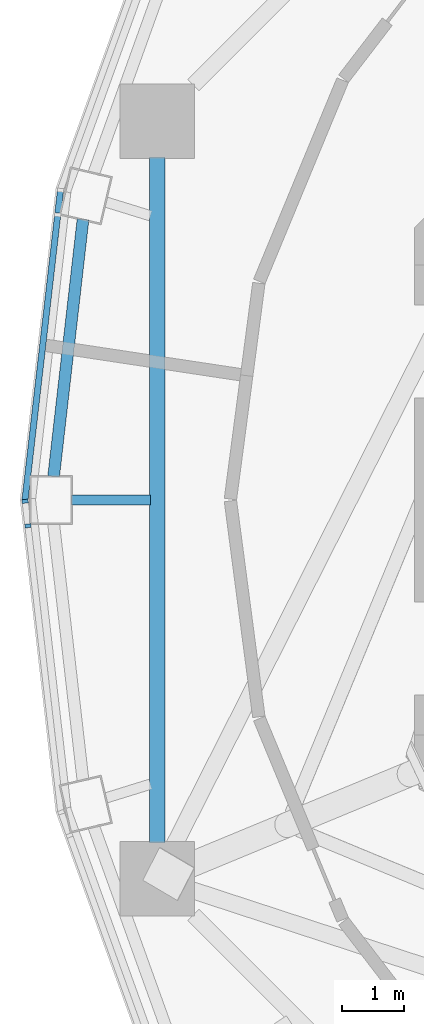
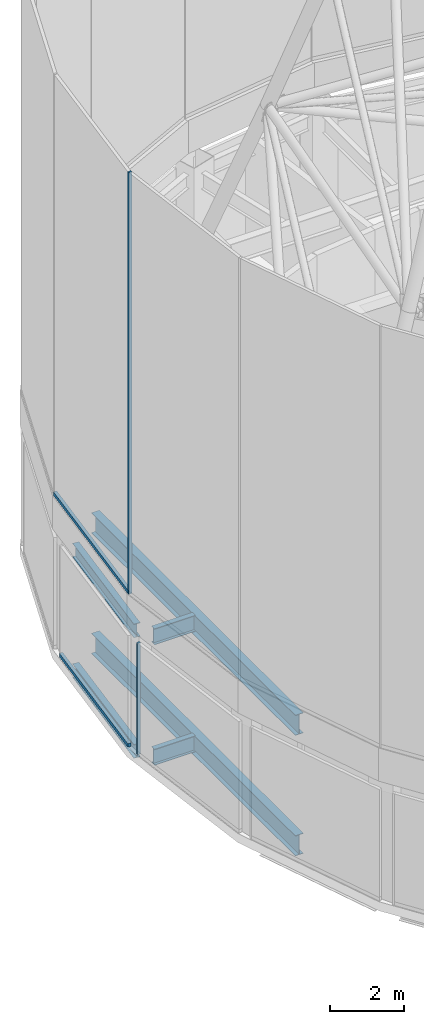
# One storey, part 9 of 25: 6 beams, 4 members, 4 elements without a shape of their own.
"""IFC4 building model written with IfcOpenShell, lengths in metres."""

from ifc_helpers import new_model, si_unit, direction, frame, origin, origin_2d, place, context, subcontext, project, spatial, rectangle, i_section, extrude, material, layer, layer_set, material_profile, profile_set, type_object, element, aggregate, save


model = new_model("IFC4")

# Units and contexts
model_context = context("Model", 3, precision=1e-05, world=origin(), true_north=direction((0.0, 1.0)))
body_context = subcontext(model_context, "Body", "Model", "MODEL_VIEW")
ifc_project = project(units=[si_unit("LENGTHUNIT", "METRE"), si_unit("AREAUNIT", "SQUARE_METRE"), si_unit("VOLUMEUNIT", "CUBIC_METRE"), si_unit("PLANEANGLEUNIT", "RADIAN"), si_unit("MASSUNIT", "GRAM", prefix="KILO")], contexts=[model_context])

# Site, building, storey
site_placement = place(None, origin())
site = spatial("IfcSite", under=ifc_project, at=site_placement, CompositionType="ELEMENT")
building_placement = place(site_placement, origin())
building = spatial("IfcBuilding", under=site, at=building_placement, Name="Nagisa Residences", CompositionType="ELEMENT")
storey_placement = place(building_placement, frame((0.0, 0.0, 340.89990234375)))
storey = spatial("IfcBuildingStorey", under=building, at=storey_placement, Name="L84", CompositionType="ELEMENT", Elevation=340.89990234375)

# Curtain wall, member
ifc_material_1 = material(Name="Aluminium curtain wall system", Category="aluminium")
ifc_layer = layer(ifc_material_1, 0.159912109375)
ifc_layer_set = layer_set([ifc_layer], Name="CW5 CURTAIN WALL")
curtain_wall_type = type_object("IfcCurtainWallType", Name="CW5 CURTAIN WALL", PredefinedType="NOTDEFINED", material=ifc_layer_set)
curtain_wall_1_placement = place(storey_placement, origin())
curtain_wall_1 = element("IfcCurtainWall", 1, at=curtain_wall_1_placement, inside=storey, type_object=curtain_wall_type, Name="cw:CW5:L84:12", PredefinedType="NOTDEFINED")
ifc_material_2 = material(Name="Aluminium", Category="aluminium")
ifc_material_profile_1 = material_profile(ifc_material_2, rectangle(XDim=0.10009765625, YDim=0.06005859375, at=origin_2d()), Name="CW5 MULLION 100x60")
ifc_profile_set_1 = profile_set([ifc_material_profile_1], Name="Aluminium")
member_type_1 = type_object("IfcMemberType", Name="CW5 MULLION 100x60", PredefinedType="MULLION", material=ifc_profile_set_1)
member_1_placement = place(storey_placement, frame((-16.87158203125, -0.41796875, 0.0), z_axis=(0.0, 0.0, 1.0), x_axis=(0.993477835048, 0.114025397474, 0.0)))
member_1 = element("IfcMember", 2, at=member_1_placement, type_object=member_type_1, Name="CW5 mullion", PredefinedType="MULLION", context=body_context, shape_type="SweptSolid", body=[
    extrude(rectangle(XDim=0.10009765625, YDim=0.06005859375, at=origin_2d()), origin(), (0.0, 0.0, 1.0), 3.7001953125),
])
aggregate(curtain_wall_1, [member_1])

curtain_wall_2_placement = place(storey_placement, origin())
curtain_wall_2 = element("IfcCurtainWall", 3, at=curtain_wall_2_placement, inside=storey, type_object=curtain_wall_type, Name="cw:CW5:L84:top0:12", PredefinedType="NOTDEFINED")
member_2_placement = place(storey_placement, frame((-16.9169921875, -0.020751953125, 5.10009765625), z_axis=(0.0, 0.0, 1.0), x_axis=(0.993477835048, 0.114025397474, 0.0)))
member_2 = element("IfcMember", 4, at=member_2_placement, type_object=member_type_1, Name="CW5 mullion", PredefinedType="MULLION", context=body_context, shape_type="SweptSolid", body=[
    extrude(rectangle(XDim=0.10009765625, YDim=0.06005859375, at=origin_2d()), origin(), (0.0, 0.0, 1.0), 14.0),
])
aggregate(curtain_wall_2, [member_2])

curtain_wall_3_placement = place(storey_placement, origin())
curtain_wall_3 = element("IfcCurtainWall", 5, at=curtain_wall_3_placement, inside=storey, type_object=curtain_wall_type, Name="cw:CW5:L84:11", PredefinedType="NOTDEFINED")
ifc_material_3 = material(Name="Aluminium", Category="aluminium")
ifc_material_profile_2 = material_profile(ifc_material_3, rectangle(XDim=0.10009765625, YDim=0.1201171875, at=origin_2d()), Name="CW5 TRANSOM 100x120")
ifc_profile_set_2 = profile_set([ifc_material_profile_2], Name="Aluminium")
member_type_2 = type_object("IfcMemberType", Name="CW5 TRANSOM 100x120", PredefinedType="USERDEFINED", material=ifc_profile_set_2)
member_3_placement = place(storey_placement, frame((-16.386962890625, 4.640380859375, 0.06005859375), z_axis=(-0.11398649568, -0.993482299189, 0.0), x_axis=(0.993482299189, -0.11398649568, 0.0)))
member_3 = element("IfcMember", 6, at=member_3_placement, type_object=member_type_2, Name="CW5 transom", ObjectType="TRANSOM", PredefinedType="USERDEFINED", context=body_context, shape_type="SweptSolid", body=[
    extrude(rectangle(XDim=0.10009765625, YDim=0.1201171875, at=origin_2d()), origin(), (0.0, 0.0, 1.0), 4.679931640625),
])
aggregate(curtain_wall_3, [member_3])

curtain_wall_4_placement = place(storey_placement, origin())
curtain_wall_4 = element("IfcCurtainWall", 7, at=curtain_wall_4_placement, inside=storey, type_object=curtain_wall_type, Name="cw:CW5:L84:top0:11", PredefinedType="NOTDEFINED")
member_4_placement = place(storey_placement, frame((-16.34130859375, 5.037841796875, 5.16015625), z_axis=(-0.113996578441, -0.993481142299, 0.0), x_axis=(0.993481142299, -0.113996578441, 0.0)))
member_4 = element("IfcMember", 8, at=member_4_placement, type_object=member_type_2, Name="CW5 transom", ObjectType="TRANSOM", PredefinedType="USERDEFINED", context=body_context, shape_type="SweptSolid", body=[
    extrude(rectangle(XDim=0.10009765625, YDim=0.1201171875, at=origin_2d()), origin(), (0.0, 0.0, 1.0), 5.080078125),
])
aggregate(curtain_wall_4, [member_4])

# Beams
ifc_material_4 = material(Name="Steel ASTM A572 Gr 50", Category="steel")
ifc_material_profile_3 = material_profile(ifc_material_4, i_section(OverallWidth=0.2529296875, OverallDepth=0.677978515625, WebThickness=0.01171875, FlangeThickness=0.016357421875, at=origin_2d()), Name="W690x125")
ifc_profile_set_3 = profile_set([ifc_material_profile_3], Name="Steel ASTM A572 Gr 50")
beam_type_1 = type_object("IfcBeamType", Name="Inner ring beam W690x125", PredefinedType="BEAM", material=ifc_profile_set_3)
for number, where, z_axis, x_axis, name in (
    (9, (-14.781982421875, 5.54296875, -0.638916015625), (0.0, -1.0, 0.0), (1.0, 0.0, 0.0), "beam:L84:ib4"),
    (10, (-14.781982421875, 5.54296875, 3.361083984375), (0.0, -1.0, 0.0), (1.0, 0.0, 0.0), "beam:L84:rib4"),
):
    element("IfcBeam", number, at=place(storey_placement, frame(where, z_axis=z_axis, x_axis=x_axis)), inside=storey, type_object=beam_type_1, Name=name, PredefinedType="BEAM", context=body_context, shape_type="SweptSolid", body=[
        extrude(i_section(OverallWidth=0.2529296875, OverallDepth=0.677978515625, WebThickness=0.01171875, FlangeThickness=0.016357421875, at=origin_2d()), origin(), (0.0, 0.0, 1.0), 11.0859375),
    ])
ifc_material_5 = material(Name="Steel ASTM A572 Gr 50", Category="steel")
ifc_material_profile_4 = material_profile(ifc_material_5, i_section(OverallWidth=0.18994140625, OverallDepth=0.45703125, WebThickness=0.009033203125, FlangeThickness=0.014404296875, at=origin_2d()), Name="W460x74")
ifc_profile_set_4 = profile_set([ifc_material_profile_4], Name="Steel ASTM A572 Gr 50")
beam_type_2 = type_object("IfcBeamType", Name="Perimeter ring beam W460x74", PredefinedType="BEAM", material=ifc_profile_set_4)
for number, where, z_axis, x_axis, name in (
    (11, (-15.981201171875, 4.537353515625, -0.5283203125), (-0.113600894263, -0.993526465084, 0.0), (0.993526465084, -0.113600894263, 0.0), "beam:L84:pb12"),
    (12, (-15.981201171875, 4.537353515625, 3.4716796875), (-0.113600894263, -0.993526465084, 0.0), (0.993526465084, -0.113600894263, 0.0), "beam:L84:rpb12"),
):
    element("IfcBeam", number, at=place(storey_placement, frame(where, z_axis=z_axis, x_axis=x_axis)), inside=storey, type_object=beam_type_2, Name=name, PredefinedType="BEAM", context=body_context, shape_type="SweptSolid", body=[
        extrude(i_section(OverallWidth=0.18994140625, OverallDepth=0.45703125, WebThickness=0.009033203125, FlangeThickness=0.014404296875, at=origin_2d()), origin(), (0.0, 0.0, 1.0), 4.184326171875),
    ])
ifc_material_6 = material(Name="Steel ASTM A572 Gr 50", Category="steel")
ifc_material_profile_5 = material_profile(ifc_material_6, i_section(OverallWidth=0.166015625, OverallDepth=0.534912109375, WebThickness=0.01025390625, FlangeThickness=0.0166015625, at=origin_2d()), Name="W530x85")
ifc_profile_set_5 = profile_set([ifc_material_profile_5], Name="Steel ASTM A572 Gr 50")
beam_type_3 = type_object("IfcBeamType", Name="Radial beam W530x85", PredefinedType="BEAM", material=ifc_profile_set_5)
for number, where, z_axis, x_axis, name in (
    (13, (-16.169921875, 0.0, -0.5673828125), (1.0, 0.0, 0.0), (0.0, 1.0, 0.0), "beam:L84:rb13"),
    (14, (-16.169921875, 0.0, 3.4326171875), (1.0, 0.0, 0.0), (0.0, 1.0, 0.0), "beam:L84:rrb13"),
):
    element("IfcBeam", number, at=place(storey_placement, frame(where, z_axis=z_axis, x_axis=x_axis)), inside=storey, type_object=beam_type_3, Name=name, PredefinedType="BEAM", context=body_context, shape_type="SweptSolid", body=[
        extrude(i_section(OverallWidth=0.166015625, OverallDepth=0.534912109375, WebThickness=0.01025390625, FlangeThickness=0.0166015625, at=origin_2d()), origin(), (0.0, 0.0, 1.0), 1.28125),
    ])

save(model, "model.ifc")
